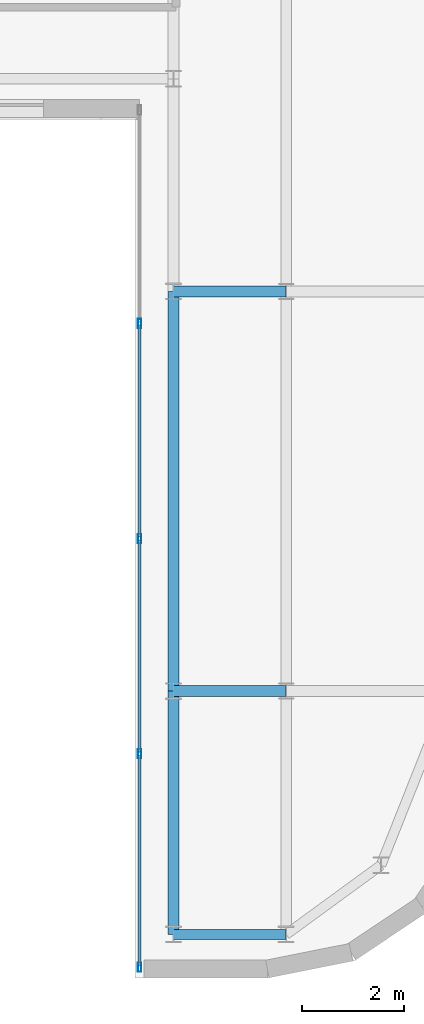
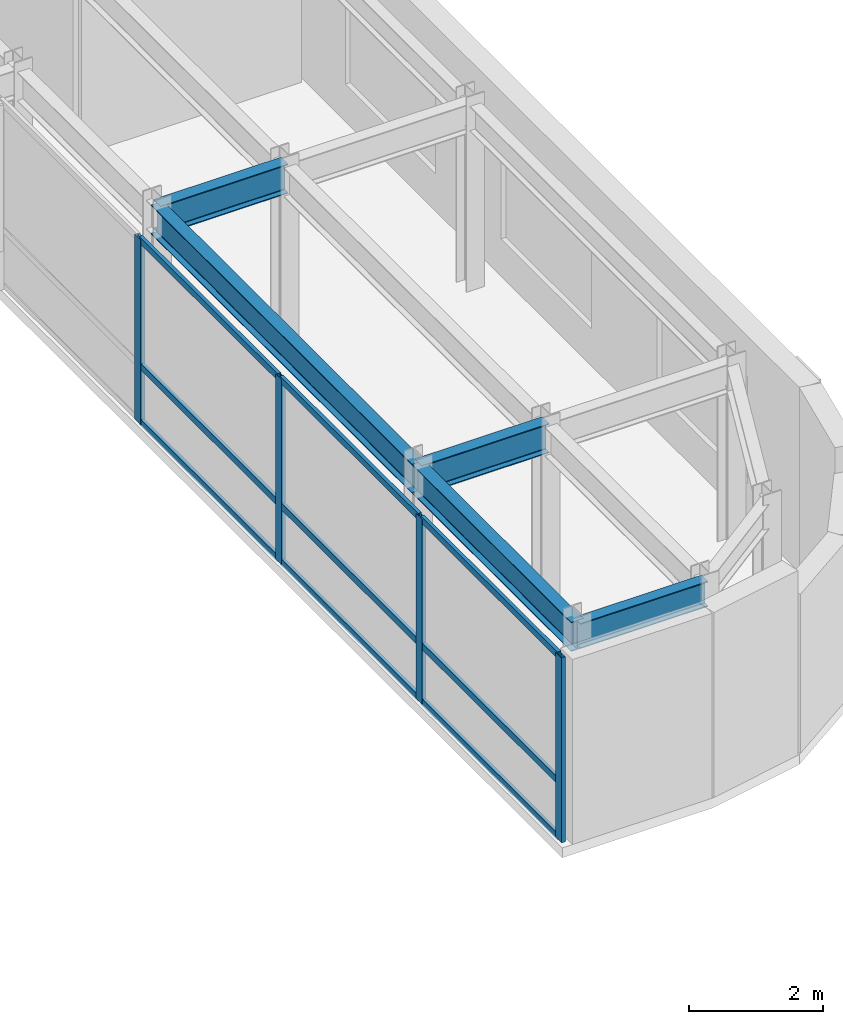
# One storey, part 7 of 20: 13 members, 5 beams, 1 element without a shape of its own.
"""IFC4 building model written with IfcOpenShell, lengths in metres."""

from ifc_helpers import new_model, si_unit, direction, frame, origin, origin_2d, place, context, subcontext, project, spatial, hollow_rectangle, i_section, extrude, source, transform, mapped, material, layer, layer_set, material_profile, profile_set, type_object, type_shapes, element, aggregate, save


model = new_model("IFC4")

# Units and contexts
model_context = context("Model", 3, precision=1e-05, world=origin(), true_north=direction((0.0, 1.0)))
body_context = subcontext(model_context, "Body", "Model", "MODEL_VIEW")
ifc_project = project(units=[si_unit("LENGTHUNIT", "METRE"), si_unit("AREAUNIT", "SQUARE_METRE"), si_unit("VOLUMEUNIT", "CUBIC_METRE"), si_unit("PLANEANGLEUNIT", "RADIAN"), si_unit("MASSUNIT", "GRAM", prefix="KILO")], contexts=[model_context])

# Site, building, storey
site_placement = place(None, origin())
site = spatial("IfcSite", under=ifc_project, at=site_placement, CompositionType="ELEMENT")
building_placement = place(site_placement, origin())
building = spatial("IfcBuilding", under=site, at=building_placement, Name="Tolvann Quenvar Hotel", CompositionType="ELEMENT")
storey_placement = place(building_placement, frame((0.0, 0.0, 248.75)))
storey = spatial("IfcBuildingStorey", under=building, at=storey_placement, Name="L66", CompositionType="ELEMENT", Elevation=248.75)

# Beams
ifc_material_1 = material(Name="Steel Grade 350", Category="steel")
ifc_material_profile_1 = material_profile(ifc_material_1, i_section(OverallWidth=0.208984375, OverallDepth=0.532958984375, WebThickness=0.01025390625, FlangeThickness=0.015625, FilletRadius=0.013916015625, at=origin_2d()), Name="530UB92")
ifc_profile_set_1 = profile_set([ifc_material_profile_1], Name="Steel Grade 350")
beam_type_1 = type_object("IfcBeamType", Name="BM_GIRD_530UB92", PredefinedType="BEAM", material=ifc_profile_set_1)
shared_shape_1 = source(origin(), body_context, "Body", "SweptSolid", [
    extrude(i_section(OverallWidth=0.208984375, OverallDepth=0.532958984375, WebThickness=0.01025390625, FlangeThickness=0.015625, FilletRadius=0.013916015625, at=origin_2d()), origin(), (0.0, 0.0, 1.0), 7.800048828125),
])
beam_1_placement = place(storey_placement, frame((32.75, 8.199951171875, 3.103515625), z_axis=(0.0, 1.0, 0.0), x_axis=(-1.0, 0.0, 0.0)))
element("IfcBeam", 1, at=beam_1_placement, inside=storey, type_object=beam_type_1, Name="BM-L66-NS-FP3-FP4", PredefinedType="BEAM", context=body_context, shape_type="MappedRepresentation", body=[
    mapped(shared_shape_1, transform((0.0, 0.0, 0.0), x_axis=(1.0, 0.0, 0.0), y_axis=(0.0, 1.0, 0.0), z_axis=(0.0, 0.0, 1.0), scale=1.0)),
])
shared_shape_2 = source(origin(), body_context, "Body", "SweptSolid", [
    extrude(i_section(OverallWidth=0.208984375, OverallDepth=0.532958984375, WebThickness=0.01025390625, FlangeThickness=0.015625, FilletRadius=0.013916015625, at=origin_2d()), origin(), (0.0, 0.0, 1.0), 4.75),
])
beam_2_placement = place(storey_placement, frame((32.75, 3.449951171875, 3.103515625), z_axis=(0.0, 1.0, 0.0), x_axis=(-1.0, 0.0, 0.0)))
element("IfcBeam", 2, at=beam_2_placement, inside=storey, type_object=beam_type_1, Name="BM-L66-NS-FP2-FP3", PredefinedType="BEAM", context=body_context, shape_type="MappedRepresentation", body=[
    mapped(shared_shape_2, transform((0.0, 0.0, 0.0), x_axis=(1.0, 0.0, 0.0), y_axis=(0.0, 1.0, 0.0), z_axis=(0.0, 0.0, 1.0), scale=1.0)),
])
ifc_material_profile_2 = material_profile(ifc_material_1, i_section(OverallWidth=0.19091796875, OverallDepth=0.4599609375, WebThickness=0.010009765625, FlangeThickness=0.01611328125, FilletRadius=0.011474609375, at=origin_2d()), Name="460UB82")
ifc_profile_set_2 = profile_set([ifc_material_profile_2], Name="Steel Grade 350")
beam_type_2 = type_object("IfcBeamType", Name="BM_SPAND_460UB82", PredefinedType="SPANDREL", material=ifc_profile_set_2)
shared_shape_3 = source(origin(), body_context, "Body", "SweptSolid", [
    extrude(i_section(OverallWidth=0.19091796875, OverallDepth=0.4599609375, WebThickness=0.010009765625, FlangeThickness=0.01611328125, FilletRadius=0.011474609375, at=origin_2d()), origin(), (0.0, 0.0, 1.0), 2.199951171875),
])
type_shapes(beam_type_2, [shared_shape_3])
beam_3_placement = place(storey_placement, frame((32.75, 3.449951171875, 3.139892578125), z_axis=(1.0, 0.0, 0.0), x_axis=(0.0, 1.0, 0.0)))
element("IfcBeam", 3, at=beam_3_placement, inside=storey, type_object=beam_type_2, Name="BM-L66-EW-2-FP2-F2", PredefinedType="SPANDREL", context=body_context, shape_type="MappedRepresentation", body=[
    mapped(shared_shape_3, transform((0.0, 0.0, 0.0), x_axis=(1.0, 0.0, 0.0), y_axis=(0.0, 1.0, 0.0), z_axis=(0.0, 0.0, 1.0), scale=1.0)),
])
shared_shape_4 = source(origin(), body_context, "Body", "SweptSolid", [
    extrude(i_section(OverallWidth=0.208984375, OverallDepth=0.532958984375, WebThickness=0.01025390625, FlangeThickness=0.015625, FilletRadius=0.013916015625, at=origin_2d()), origin(), (0.0, 0.0, 1.0), 2.199951171875),
])
type_shapes(beam_type_1, [shared_shape_1, shared_shape_2, shared_shape_4])
for number, where, z_axis, x_axis, name in (
    (4, (32.75, 8.199951171875, 3.103515625), (1.0, 0.0, 0.0), (0.0, 1.0, 0.0), "BM-L66-EW-3-FP3-F3"),
    (5, (32.75, 16.0, 3.103515625), (1.0, 0.0, 0.0), (0.0, 1.0, 0.0), "BM-L66-EW-4-FP4-F4"),
):
    element("IfcBeam", number, at=place(storey_placement, frame(where, z_axis=z_axis, x_axis=x_axis)), inside=storey, type_object=beam_type_1, Name=name, PredefinedType="BEAM", context=body_context, shape_type="MappedRepresentation", body=[
        mapped(shared_shape_4, transform((0.0, 0.0, 0.0), x_axis=(1.0, 0.0, 0.0), y_axis=(0.0, 1.0, 0.0), z_axis=(0.0, 0.0, 1.0), scale=1.0)),
    ])

# Curtain wall, members
ifc_material_2 = material(Name="Thermally broken anodised architectural aluminium 6063-T6 and laminated low-E glass", Category="aluminium")
ifc_layer = layer(ifc_material_2, 0.179931640625)
ifc_layer_set = layer_set([ifc_layer], Name="Thermally broken anodised architectural aluminium 6063-T6 and laminated low-E glass")
curtain_wall_type = type_object("IfcCurtainWallType", Name="CW_SYS_PORTAL_05", PredefinedType="USERDEFINED", material=ifc_layer_set)
curtain_wall_placement = place(storey_placement, origin())
curtain_wall = element("IfcCurtainWall", 6, at=curtain_wall_placement, inside=storey, type_object=curtain_wall_type, Name="Curtain Wall CW-PORTAL-05 (CWR-L66-E07)", ObjectType="UNITISED CURTAIN WALL", PredefinedType="USERDEFINED")
ifc_material_3 = material(Name="Anodised architectural aluminium 6063-T6 framing", Category="aluminium")
ifc_material_profile_3 = material_profile(ifc_material_3, hollow_rectangle(XDim=0.070068359375, YDim=0.179931640625, WallThickness=0.00390625, at=origin_2d()), Name="180x70x4RHS")
ifc_profile_set_3 = profile_set([ifc_material_profile_3], Name="Anodised architectural aluminium 6063-T6 framing")
member_type_1 = type_object("IfcMemberType", Name="CW_MULL_180x70", PredefinedType="MULLION", material=ifc_profile_set_3)
shared_shape_5 = source(origin(), body_context, "Body", "SweptSolid", [
    extrude(hollow_rectangle(XDim=0.070068359375, YDim=0.179931640625, WallThickness=0.00390625, at=origin_2d()), origin(), (0.0, 0.0, 1.0), 3.3701171875),
])
type_shapes(member_type_1, [shared_shape_5])
member_1_placement = place(storey_placement, frame((32.090087890625, 15.375, 0.0), z_axis=(0.0, 0.0, 1.0), x_axis=(1.0, 0.0, 0.0)))
member_1 = element("IfcMember", 7, at=member_1_placement, type_object=member_type_1, Name="CW-PORTAL-05 mullion 2", PredefinedType="MULLION", context=body_context, shape_type="MappedRepresentation", body=[
    mapped(shared_shape_5, transform((0.0, 0.0, 0.0), x_axis=(1.0, 0.0, 0.0), y_axis=(0.0, 1.0, 0.0), z_axis=(0.0, 0.0, 1.0), scale=1.0)),
])
member_2_placement = place(storey_placement, frame((32.090087890625, 11.175048828125, 0.0), z_axis=(0.0, 0.0, 1.0), x_axis=(1.0, 0.0, 0.0)))
member_2 = element("IfcMember", 8, at=member_2_placement, type_object=member_type_1, Name="CW-PORTAL-05 mullion 3", PredefinedType="MULLION", context=body_context, shape_type="MappedRepresentation", body=[
    mapped(shared_shape_5, transform((0.0, 0.0, 0.0), x_axis=(1.0, 0.0, 0.0), y_axis=(0.0, 1.0, 0.0), z_axis=(0.0, 0.0, 1.0), scale=1.0)),
])
member_3_placement = place(storey_placement, frame((32.090087890625, 6.97509765625, 0.0), z_axis=(0.0, 0.0, 1.0), x_axis=(1.0, 0.0, 0.0)))
member_3 = element("IfcMember", 9, at=member_3_placement, type_object=member_type_1, Name="CW-PORTAL-05 mullion 4", PredefinedType="MULLION", context=body_context, shape_type="MappedRepresentation", body=[
    mapped(shared_shape_5, transform((0.0, 0.0, 0.0), x_axis=(1.0, 0.0, 0.0), y_axis=(0.0, 1.0, 0.0), z_axis=(0.0, 0.0, 1.0), scale=1.0)),
])
member_4_placement = place(storey_placement, frame((32.090087890625, 2.81005859375, 0.0), z_axis=(0.0, 0.0, 1.0), x_axis=(1.0, 0.0, 0.0)))
member_4 = element("IfcMember", 10, at=member_4_placement, type_object=member_type_1, Name="CW-PORTAL-05 mullion 5", PredefinedType="MULLION", context=body_context, shape_type="MappedRepresentation", body=[
    mapped(shared_shape_5, transform((0.0, 0.0, 0.0), x_axis=(1.0, 0.0, 0.0), y_axis=(0.0, 1.0, 0.0), z_axis=(0.0, 0.0, 1.0), scale=1.0)),
])
ifc_material_profile_4 = material_profile(ifc_material_3, hollow_rectangle(XDim=0.06005859375, YDim=0.1201171875, WallThickness=0.00341796875, at=origin_2d()), Name="120x60x3.5RHS")
ifc_profile_set_4 = profile_set([ifc_material_profile_4], Name="Anodised architectural aluminium 6063-T6 framing")
member_type_2 = type_object("IfcMemberType", Name="CW_TRAN_120x60", PredefinedType="USERDEFINED", material=ifc_profile_set_4)
shared_shape_6 = source(origin(), body_context, "Body", "SweptSolid", [
    extrude(hollow_rectangle(XDim=0.06005859375, YDim=0.1201171875, WallThickness=0.00341796875, at=origin_2d()), origin(), (0.0, 0.0, 1.0), 4.094970703125),
])
member_5_placement = place(storey_placement, frame((32.090087890625, 6.93994140625, 0.030029296875), z_axis=(0.0, -1.0, 0.0), x_axis=(1.0, 0.0, 0.0)))
member_5 = element("IfcMember", 11, at=member_5_placement, type_object=member_type_2, Name="CW-PORTAL-05 transom 4.1", ObjectType="TRANSOM", PredefinedType="USERDEFINED", context=body_context, shape_type="MappedRepresentation", body=[
    mapped(shared_shape_6, transform((0.0, 0.0, 0.0), x_axis=(1.0, 0.0, 0.0), y_axis=(0.0, 1.0, 0.0), z_axis=(0.0, 0.0, 1.0), scale=1.0)),
])
member_6_placement = place(storey_placement, frame((32.090087890625, 6.93994140625, 1.050048828125), z_axis=(0.0, -1.0, 0.0), x_axis=(1.0, 0.0, 0.0)))
member_6 = element("IfcMember", 12, at=member_6_placement, type_object=member_type_2, Name="CW-PORTAL-05 transom 4.2", ObjectType="TRANSOM", PredefinedType="USERDEFINED", context=body_context, shape_type="MappedRepresentation", body=[
    mapped(shared_shape_6, transform((0.0, 0.0, 0.0), x_axis=(1.0, 0.0, 0.0), y_axis=(0.0, 1.0, 0.0), z_axis=(0.0, 0.0, 1.0), scale=1.0)),
])
member_7_placement = place(storey_placement, frame((32.090087890625, 6.93994140625, 3.340087890625), z_axis=(0.0, -1.0, 0.0), x_axis=(1.0, 0.0, 0.0)))
member_7 = element("IfcMember", 13, at=member_7_placement, type_object=member_type_2, Name="CW-PORTAL-05 transom 4.3", ObjectType="TRANSOM", PredefinedType="USERDEFINED", context=body_context, shape_type="MappedRepresentation", body=[
    mapped(shared_shape_6, transform((0.0, 0.0, 0.0), x_axis=(1.0, 0.0, 0.0), y_axis=(0.0, 1.0, 0.0), z_axis=(0.0, 0.0, 1.0), scale=1.0)),
])
shared_shape_7 = source(origin(), body_context, "Body", "SweptSolid", [
    extrude(hollow_rectangle(XDim=0.06005859375, YDim=0.1201171875, WallThickness=0.00341796875, at=origin_2d()), origin(), (0.0, 0.0, 1.0), 4.130126953125),
])
member_8_placement = place(storey_placement, frame((32.090087890625, 15.340087890625, 0.030029296875), z_axis=(0.0, -1.0, 0.0), x_axis=(1.0, 0.0, 0.0)))
member_8 = element("IfcMember", 14, at=member_8_placement, type_object=member_type_2, Name="CW-PORTAL-05 transom 2.1", ObjectType="TRANSOM", PredefinedType="USERDEFINED", context=body_context, shape_type="MappedRepresentation", body=[
    mapped(shared_shape_7, transform((0.0, 0.0, 0.0), x_axis=(1.0, 0.0, 0.0), y_axis=(0.0, 1.0, 0.0), z_axis=(0.0, 0.0, 1.0), scale=1.0)),
])
member_9_placement = place(storey_placement, frame((32.090087890625, 15.340087890625, 1.050048828125), z_axis=(0.0, -1.0, 0.0), x_axis=(1.0, 0.0, 0.0)))
member_9 = element("IfcMember", 15, at=member_9_placement, type_object=member_type_2, Name="CW-PORTAL-05 transom 2.2", ObjectType="TRANSOM", PredefinedType="USERDEFINED", context=body_context, shape_type="MappedRepresentation", body=[
    mapped(shared_shape_7, transform((0.0, 0.0, 0.0), x_axis=(1.0, 0.0, 0.0), y_axis=(0.0, 1.0, 0.0), z_axis=(0.0, 0.0, 1.0), scale=1.0)),
])
member_10_placement = place(storey_placement, frame((32.090087890625, 15.340087890625, 3.340087890625), z_axis=(0.0, -1.0, 0.0), x_axis=(1.0, 0.0, 0.0)))
member_10 = element("IfcMember", 16, at=member_10_placement, type_object=member_type_2, Name="CW-PORTAL-05 transom 2.3", ObjectType="TRANSOM", PredefinedType="USERDEFINED", context=body_context, shape_type="MappedRepresentation", body=[
    mapped(shared_shape_7, transform((0.0, 0.0, 0.0), x_axis=(1.0, 0.0, 0.0), y_axis=(0.0, 1.0, 0.0), z_axis=(0.0, 0.0, 1.0), scale=1.0)),
])
shared_shape_8 = source(origin(), body_context, "Body", "SweptSolid", [
    extrude(hollow_rectangle(XDim=0.06005859375, YDim=0.1201171875, WallThickness=0.00341796875, at=origin_2d()), origin(), (0.0, 0.0, 1.0), 4.1298828125),
])
type_shapes(member_type_2, [shared_shape_6, shared_shape_7, shared_shape_8])
member_11_placement = place(storey_placement, frame((32.090087890625, 11.139892578125, 0.030029296875), z_axis=(0.0, -1.0, 0.0), x_axis=(1.0, 0.0, 0.0)))
member_11 = element("IfcMember", 17, at=member_11_placement, type_object=member_type_2, Name="CW-PORTAL-05 transom 3.1", ObjectType="TRANSOM", PredefinedType="USERDEFINED", context=body_context, shape_type="MappedRepresentation", body=[
    mapped(shared_shape_8, transform((0.0, 0.0, 0.0), x_axis=(1.0, 0.0, 0.0), y_axis=(0.0, 1.0, 0.0), z_axis=(0.0, 0.0, 1.0), scale=1.0)),
])
member_12_placement = place(storey_placement, frame((32.090087890625, 11.139892578125, 1.050048828125), z_axis=(0.0, -1.0, 0.0), x_axis=(1.0, 0.0, 0.0)))
member_12 = element("IfcMember", 18, at=member_12_placement, type_object=member_type_2, Name="CW-PORTAL-05 transom 3.2", ObjectType="TRANSOM", PredefinedType="USERDEFINED", context=body_context, shape_type="MappedRepresentation", body=[
    mapped(shared_shape_8, transform((0.0, 0.0, 0.0), x_axis=(1.0, 0.0, 0.0), y_axis=(0.0, 1.0, 0.0), z_axis=(0.0, 0.0, 1.0), scale=1.0)),
])
member_13_placement = place(storey_placement, frame((32.090087890625, 11.139892578125, 3.340087890625), z_axis=(0.0, -1.0, 0.0), x_axis=(1.0, 0.0, 0.0)))
member_13 = element("IfcMember", 19, at=member_13_placement, type_object=member_type_2, Name="CW-PORTAL-05 transom 3.3", ObjectType="TRANSOM", PredefinedType="USERDEFINED", context=body_context, shape_type="MappedRepresentation", body=[
    mapped(shared_shape_8, transform((0.0, 0.0, 0.0), x_axis=(1.0, 0.0, 0.0), y_axis=(0.0, 1.0, 0.0), z_axis=(0.0, 0.0, 1.0), scale=1.0)),
])
aggregate(curtain_wall, [member_1, member_2, member_3, member_4, member_8, member_9, member_10, member_11, member_12, member_13, member_5, member_6, member_7])

save(model, "model.ifc")
